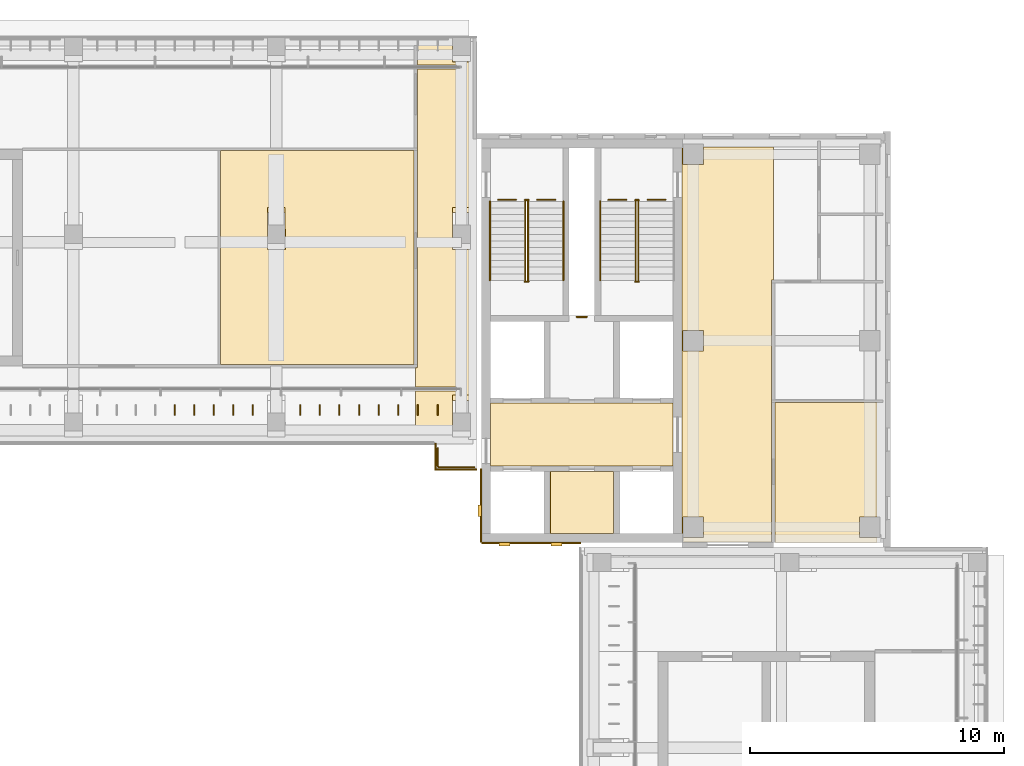
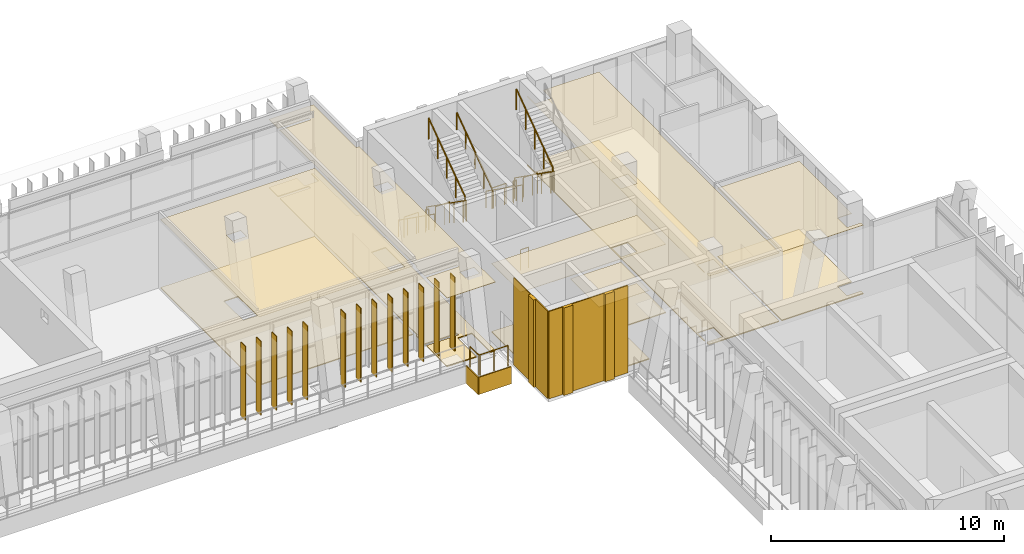
# One storey, part 73 of 74: 19 coverings, 17 railings, 13 shading devices.
"""IFC4 building model written with IfcOpenShell, lengths in metres."""

from ifc_helpers import new_model, si_unit, direction, frame, frame_2d, origin, origin_2d, place, context, subcontext, project, spatial, polyline, rectangle, circle, outline, extrude, material, layer, layer_set, type_object, element, save


model = new_model("IFC4")

# Units and contexts
model_context = context("Model", 3, precision=1e-05, world=origin(), true_north=direction((0.0, 1.0)))
body_context = subcontext(model_context, "Body", "Model", "MODEL_VIEW")
ifc_project = project(units=[si_unit("LENGTHUNIT", "METRE"), si_unit("AREAUNIT", "SQUARE_METRE"), si_unit("VOLUMEUNIT", "CUBIC_METRE"), si_unit("PLANEANGLEUNIT", "RADIAN"), si_unit("MASSUNIT", "GRAM", prefix="KILO")], contexts=[model_context])

# Site, building, storey
site_placement = place(None, origin())
site = spatial("IfcSite", under=ifc_project, at=site_placement, CompositionType="ELEMENT")
building_placement = place(site_placement, origin())
building = spatial("IfcBuilding", under=site, at=building_placement, Name="Lantern Court Media Centre", CompositionType="ELEMENT")
storey_placement = place(building_placement, frame((0.0, 0.0, 19.199951171875)))
storey = spatial("IfcBuildingStorey", under=building, at=storey_placement, Name="L04", CompositionType="ELEMENT", Elevation=19.199951171875)

# Coverings
ifc_material_1 = material(Name="Carpet")
ifc_layer_1 = layer(ifc_material_1, 0.050048828125)
ifc_layer_set_1 = layer_set([ifc_layer_1], Name="Carpet")
covering_type_1 = type_object("IfcCoveringType", Name="Carpet floor finish", PredefinedType="FLOORING", material=ifc_layer_set_1)
covering_1_placement = place(storey_placement, origin())
element("IfcCovering", 1, at=covering_1_placement, inside=storey, type_object=covering_type_1, Name="Conference Room 01 floor finish", PredefinedType="FLOORING", context=body_context, shape_type="SweptSolid", body=[
    extrude(outline(polyline([(77.4326171875, 111.544921875), (77.4326171875, 103.117431640625), (69.804931640625, 103.117431640625), (69.804931640625, 111.544921875), (77.4326171875, 111.544921875)]), holes=[polyline([(71.64501953125, 107.64990234375), (72.354736328125, 107.648193359375), (72.351806640625, 109.308837890625), (71.645263671875, 109.30615234375), (71.64501953125, 107.64990234375)])]), origin(), (0.0, 0.0, 1.0), 0.050048828125),
])
covering_2_placement = place(storey_placement, origin())
element("IfcCovering", 2, at=covering_2_placement, inside=storey, type_object=covering_type_1, Name="Engineering Workshop floor finish", PredefinedType="FLOORING", context=body_context, shape_type="SweptSolid", body=[
    extrude(outline(polyline([(95.699951171875, 96.10009765625), (91.66748046875, 96.10009765625), (91.66748046875, 101.615966796875), (95.699951171875, 101.615966796875), (95.699951171875, 97.10498046875), (94.9951171875, 97.10009765625), (94.995849609375, 96.297119140625), (95.699951171875, 96.294921875), (95.699951171875, 96.10009765625)])), origin(), (0.0, 0.0, 1.0), 0.050048828125),
])
ifc_material_2 = material(Name="Ceramic tile")
ifc_layer_2 = layer(ifc_material_2, 0.050048828125)
ifc_layer_set_2 = layer_set([ifc_layer_2], Name="Ceramic tile")
covering_type_2 = type_object("IfcCoveringType", Name="Ceramic tile floor finish", PredefinedType="FLOORING", material=ifc_layer_set_2)
covering_3_placement = place(storey_placement, origin())
element("IfcCovering", 3, at=covering_3_placement, inside=storey, type_object=covering_type_2, Name="Accessible WC floor finish", PredefinedType="FLOORING", context=body_context, shape_type="SweptSolid", body=[
    extrude(outline(polyline([(82.804931640625, 96.455078125), (82.804931640625, 98.89501953125), (85.294921875, 98.89501953125), (85.294921875, 96.455078125), (82.804931640625, 96.455078125)])), origin(), (0.0, 0.0, 1.0), 0.050048828125),
])

# Railings
ifc_material_3 = material(Name="Powder-coated steel", Category="steel")
railing_type_1 = type_object("IfcRailingType", Name="Floor edge guard 1100", PredefinedType="GUARDRAIL", material=ifc_material_3)
railing_1_placement = place(storey_placement, frame((85.10009765625, 109.609619140625, 0.0)))
element("IfcRailing", 4, at=railing_1_placement, inside=storey, type_object=railing_type_1, Name="L04 opening guard 117", PredefinedType="GUARDRAIL", context=body_context, shape_type="SweptSolid", body=[
    extrude(circle(Radius=0.02392578125, at=origin_2d()), frame((0.0, 0.0, 1.076171875), z_axis=(1.0, 0.0, 0.0), x_axis=(0.0, 1.0, 0.0)), (0.0, 0.0, 1.0), 0.70361328125),
    extrude(circle(Radius=0.02099609375, at=origin_2d()), origin(), (0.0, 0.0, 1.0), 1.052001953125),
    extrude(circle(Radius=0.02099609375, at=origin_2d()), frame((0.70361328125, 0.0, 0.0)), (0.0, 0.0, 1.0), 1.052001953125),
])
railing_2_placement = place(storey_placement, frame((86.646240234375, 109.609619140625, 0.0)))
element("IfcRailing", 5, at=railing_2_placement, inside=storey, type_object=railing_type_1, Name="L04 opening guard 118", PredefinedType="GUARDRAIL", context=body_context, shape_type="SweptSolid", body=[
    extrude(circle(Radius=0.02392578125, at=origin_2d()), frame((0.0, 0.0, 1.076171875), z_axis=(1.0, 0.0, 0.0), x_axis=(0.0, 1.0, 0.0)), (0.0, 0.0, 1.0), 0.703857421875),
    extrude(circle(Radius=0.02099609375, at=origin_2d()), origin(), (0.0, 0.0, 1.0), 1.052001953125),
    extrude(circle(Radius=0.02099609375, at=origin_2d()), frame((0.703857421875, 0.0, 0.0)), (0.0, 0.0, 1.0), 1.052001953125),
])
for number, where, name in (
    (6, (80.75, 109.609619140625, 0.0), "L04 opening guard 119"),
    (7, (82.29638671875, 109.609619140625, 0.0), "L04 opening guard 120"),
):
    element("IfcRailing", number, at=place(storey_placement, frame(where)), inside=storey, type_object=railing_type_1, Name=name, PredefinedType="GUARDRAIL", context=body_context, shape_type="SweptSolid", body=[
        extrude(circle(Radius=0.02392578125, at=origin_2d()), frame((0.0, 0.0, 1.076171875), z_axis=(1.0, 0.0, 0.0), x_axis=(0.0, 1.0, 0.0)), (0.0, 0.0, 1.0), 0.70361328125),
        extrude(circle(Radius=0.02099609375, at=origin_2d()), origin(), (0.0, 0.0, 1.0), 1.052001953125),
        extrude(circle(Radius=0.02099609375, at=origin_2d()), frame((0.70361328125, 0.0, 0.0)), (0.0, 0.0, 1.0), 1.052001953125),
    ])
railing_3_placement = place(storey_placement, frame((83.85009765625, 104.989990234375, 0.0)))
element("IfcRailing", 8, at=railing_3_placement, inside=storey, type_object=railing_type_1, Name="L04 opening guard 121", PredefinedType="GUARDRAIL", context=body_context, shape_type="SweptSolid", body=[
    extrude(circle(Radius=0.02392578125, at=origin_2d()), frame((0.0, 0.0, 1.076171875), z_axis=(1.0, 0.0, 0.0), x_axis=(0.0, 1.0, 0.0)), (0.0, 0.0, 1.0), 0.39990234375),
    extrude(circle(Radius=0.02099609375, at=origin_2d()), origin(), (0.0, 0.0, 1.0), 1.052001953125),
    extrude(circle(Radius=0.02099609375, at=origin_2d()), frame((0.39990234375, 0.0, 0.0)), (0.0, 0.0, 1.0), 1.052001953125),
])
railing_4_placement = place(storey_placement, frame((79.803955078125, 99.06005859375, 0.0)))
element("IfcRailing", 9, at=railing_4_placement, inside=storey, type_object=railing_type_1, Name="L04 edge guard 141", PredefinedType="GUARDRAIL", context=body_context, shape_type="SweptSolid", body=[
    extrude(circle(Radius=0.02392578125, at=origin_2d()), frame((0.0, 0.0, 1.076171875), z_axis=(-1.0, 0.0, 0.0), x_axis=(0.0, -1.0, 0.0)), (0.0, 0.0, 1.0), 1.39892578125),
    extrude(circle(Radius=0.02392578125, at=origin_2d()), frame((-1.39892578125, 0.0, 1.076171875), z_axis=(-0.626354171064, 0.779538615074, 0.0), x_axis=(-0.779538615074, -0.626354171064, 0.0)), (0.0, 0.0, 1.0), 0.07177734375),
    extrude(circle(Radius=0.02392578125, at=origin_2d()), frame((-1.44384765625, 0.055908203125, 1.076171875), z_axis=(0.0, 1.0, 0.0), x_axis=(-1.0, 0.0, 0.0)), (0.0, 0.0, 1.0), 0.698974609375),
    extrude(circle(Radius=0.02099609375, at=origin_2d()), origin(), (0.0, 0.0, 1.0), 1.052001953125),
    extrude(circle(Radius=0.02099609375, at=origin_2d()), frame((-0.699462890625, 0.0, 0.0)), (0.0, 0.0, 1.0), 1.052001953125),
    extrude(circle(Radius=0.02099609375, at=origin_2d()), frame((-1.39892578125, 0.0, 0.0)), (0.0, 0.0, 1.0), 1.052001953125),
    extrude(circle(Radius=0.02099609375, at=origin_2d()), frame((-1.44384765625, 0.055908203125, 0.0)), (0.0, 0.0, 1.0), 1.052001953125),
    extrude(circle(Radius=0.02099609375, at=origin_2d()), frame((-1.44384765625, 0.7548828125, 0.0)), (0.0, 0.0, 1.0), 1.052001953125),
])

# Coverings
ifc_material_4 = material(Name="White glass-fibre reinforced cement cladding", Category="concrete")
ifc_layer_3 = layer(ifc_material_4, 0.050048828125)
ifc_layer_set_3 = layer_set([ifc_layer_3], Name="White glass-fibre reinforced cement cladding")
covering_type_3 = type_object("IfcCoveringType", Name="Floor-edge band 50", PredefinedType="CLADDING", material=ifc_layer_set_3)
covering_4_placement = place(storey_placement, frame((78.300048828125, 98.97509765625, -0.89990234375), z_axis=(0.0, 0.0, 1.0), x_axis=(1.0, 0.0, 0.0)))
element("IfcCovering", 10, at=covering_4_placement, inside=storey, type_object=covering_type_3, Name="Floor-edge band N inner L04", PredefinedType="CLADDING", context=body_context, shape_type="SweptSolid", body=[
    extrude(rectangle(XDim=1.599853515625, YDim=0.050048828125, at=frame_2d((0.7998046875, 0.0))), origin(), (0.0, 0.0, 1.0), 0.89990234375),
])
covering_5_placement = place(storey_placement, frame((78.27490234375, 100.0, -0.89990234375), z_axis=(0.0, 0.0, 1.0), x_axis=(0.0, -1.0, 0.0)))
element("IfcCovering", 11, at=covering_5_placement, inside=storey, type_object=covering_type_3, Name="Floor-edge band N inner L04", PredefinedType="CLADDING", context=body_context, shape_type="SweptSolid", body=[
    extrude(rectangle(XDim=1.050048828125, YDim=0.050048828125, at=frame_2d((0.52490234375, 0.0))), origin(), (0.0, 0.0, 1.0), 0.89990234375),
])
ifc_material_5 = material(Name="Honed limestone cladding", Category="masonry")
ifc_layer_4 = layer(ifc_material_5, 0.050048828125)
ifc_layer_set_4 = layer_set([ifc_layer_4], Name="Honed limestone cladding")
covering_type_4 = type_object("IfcCoveringType", Name="Limestone cladding panel 50", PredefinedType="CLADDING", material=ifc_layer_set_4)
covering_6_placement = place(storey_placement, frame((80.074951171875, 96.10009765625, 0.0), z_axis=(0.0, 0.0, 1.0), x_axis=(0.0, 1.0, 0.0)))
element("IfcCovering", 12, at=covering_6_placement, inside=storey, type_object=covering_type_4, Name="Limestone joint cladding N-NE L04", PredefinedType="CLADDING", context=body_context, shape_type="SweptSolid", body=[
    extrude(rectangle(XDim=2.89990234375, YDim=0.050048828125, at=frame_2d((1.449951171875, 0.0))), origin(), (0.0, 0.0, 1.0), 4.580078125),
])
covering_7_placement = place(storey_placement, frame((80.10009765625, 96.074951171875, 0.0), z_axis=(0.0, 0.0, 1.0), x_axis=(1.0, 0.0, 0.0)))
element("IfcCovering", 13, at=covering_7_placement, inside=storey, type_object=covering_type_4, Name="Limestone joint cladding E-NE L04", PredefinedType="CLADDING", context=body_context, shape_type="SweptSolid", body=[
    extrude(rectangle(XDim=3.89990234375, YDim=0.050048828125, at=frame_2d((1.949951171875, 0.0))), origin(), (0.0, 0.0, 1.0), 4.580078125),
])
ifc_layer_5 = layer(ifc_material_5, 0.14990234375)
ifc_layer_set_5 = layer_set([ifc_layer_5], Name="Honed limestone cladding")
covering_type_5 = type_object("IfcCoveringType", Name="Limestone pilaster cladding 150", PredefinedType="CLADDING", material=ifc_layer_set_5)
covering_8_placement = place(storey_placement, frame((80.77490234375, 96.02490234375, 0.0), z_axis=(0.0, 0.0, 1.0), x_axis=(1.0, 0.0, 0.0)))
element("IfcCovering", 14, at=covering_8_placement, inside=storey, type_object=covering_type_5, Name="Limestone pilaster rib", PredefinedType="CLADDING", context=body_context, shape_type="SweptSolid", body=[
    extrude(rectangle(XDim=0.4501953125, YDim=0.14990234375, at=frame_2d((0.22509765625, 0.0))), origin(), (0.0, 0.0, 1.0), 4.580078125),
])
for number, where, z_axis, x_axis, name in (
    (15, (82.824951171875, 96.02490234375, 0.0), (0.0, 0.0, 1.0), (1.0, 0.0, 0.0), "Limestone pilaster rib"),
    (16, (80.02490234375, 97.125, 0.0), (0.0, 0.0, 1.0), (0.0, 1.0, 0.0), "Limestone pilaster rib"),
):
    element("IfcCovering", number, at=place(storey_placement, frame(where, z_axis=z_axis, x_axis=x_axis)), inside=storey, type_object=covering_type_5, Name=name, PredefinedType="CLADDING", context=body_context, shape_type="SweptSolid", body=[
        extrude(rectangle(XDim=0.449951171875, YDim=0.14990234375, at=frame_2d((0.22509765625, 0.0))), origin(), (0.0, 0.0, 1.0), 4.580078125),
    ])

# Railings
railing_type_2 = type_object("IfcRailingType", Name="Stair guard 1100", PredefinedType="GUARDRAIL", material=ifc_material_3)
railing_5_placement = place(storey_placement, frame((86.174072265625, 109.550048828125, 0.1845703125)))
element("IfcRailing", 17, at=railing_5_placement, inside=storey, type_object=railing_type_2, Name="L04 ST-NEA stair guard 1", PredefinedType="GUARDRAIL", context=body_context, shape_type="SweptSolid", body=[
    extrude(circle(Radius=0.02392578125, at=origin_2d()), frame((0.0, 0.0, 1.076171875), z_axis=(0.0, -0.815346844174, 0.578972817752), x_axis=(1.0, 0.0, 0.0)), (0.0, 0.0, 1.0), 3.82666015625),
    extrude(circle(Radius=0.02099609375, at=origin_2d()), origin(), (0.0, 0.0, 1.0), 1.052001953125),
    extrude(circle(Radius=0.02099609375, at=origin_2d()), frame((0.0, -0.780029296875, 0.553955078125)), (0.0, 0.0, 1.0), 1.052001953125),
    extrude(circle(Radius=0.02099609375, at=origin_2d()), frame((0.0, -1.56005859375, 1.10791015625)), (0.0, 0.0, 1.0), 1.052001953125),
    extrude(circle(Radius=0.02099609375, at=origin_2d()), frame((0.0, -2.340087890625, 1.66162109375)), (0.0, 0.0, 1.0), 1.052001953125),
    extrude(circle(Radius=0.02099609375, at=origin_2d()), frame((0.0, -3.1201171875, 2.215576171875)), (0.0, 0.0, 1.0), 1.052001953125),
])
railing_6_placement = place(storey_placement, frame((86.14990234375, 106.3798828125, 2.400146484375)))
element("IfcRailing", 18, at=railing_6_placement, inside=storey, type_object=railing_type_2, Name="L04 ST-NEA stair guard 2", PredefinedType="GUARDRAIL", context=body_context, shape_type="SweptSolid", body=[
    extrude(circle(Radius=0.02392578125, at=origin_2d()), frame((0.0, 0.0, 1.076171875), z_axis=(1.0, 0.0, 0.0), x_axis=(0.0, 1.0, 0.0)), (0.0, 0.0, 1.0), 0.150146484375),
    extrude(circle(Radius=0.02099609375, at=origin_2d()), origin(), (0.0, 0.0, 1.0), 1.052001953125),
    extrude(circle(Radius=0.02099609375, at=origin_2d()), frame((0.150146484375, 0.0, 0.0)), (0.0, 0.0, 1.0), 1.052001953125),
])
railing_7_placement = place(storey_placement, frame((86.27587890625, 106.429931640625, 2.584716796875)))
element("IfcRailing", 19, at=railing_7_placement, inside=storey, type_object=railing_type_2, Name="L04 ST-NEA stair guard 3", PredefinedType="GUARDRAIL", context=body_context, shape_type="SweptSolid", body=[
    extrude(circle(Radius=0.02392578125, at=origin_2d()), frame((0.0, 0.0, 1.076171875), z_axis=(0.0, 0.815376961211, 0.578930402662), x_axis=(-1.0, 0.0, 0.0)), (0.0, 0.0, 1.0), 3.82666015625),
    extrude(circle(Radius=0.02099609375, at=origin_2d()), origin(), (0.0, 0.0, 1.0), 1.052001953125),
    extrude(circle(Radius=0.02099609375, at=origin_2d()), frame((0.0, 0.780029296875, 0.5537109375)), (0.0, 0.0, 1.0), 1.052001953125),
    extrude(circle(Radius=0.02099609375, at=origin_2d()), frame((0.0, 1.56005859375, 1.107666015625)), (0.0, 0.0, 1.0), 1.052001953125),
    extrude(circle(Radius=0.02099609375, at=origin_2d()), frame((0.0, 2.340087890625, 1.66162109375)), (0.0, 0.0, 1.0), 1.052001953125),
    extrude(circle(Radius=0.02099609375, at=origin_2d()), frame((0.0, 3.1201171875, 2.21533203125)), (0.0, 0.0, 1.0), 1.052001953125),
])
railing_8_placement = place(storey_placement, frame((86.14990234375, 109.60009765625, 0.0)))
element("IfcRailing", 20, at=railing_8_placement, inside=storey, type_object=railing_type_2, Name="L04 ST-NEA stair guard 4", PredefinedType="GUARDRAIL", context=body_context, shape_type="SweptSolid", body=[
    extrude(circle(Radius=0.02392578125, at=origin_2d()), frame((0.0, 0.0, 1.076171875), z_axis=(1.0, 0.0, 0.0), x_axis=(0.0, 1.0, 0.0)), (0.0, 0.0, 1.0), 0.150146484375),
    extrude(circle(Radius=0.02099609375, at=origin_2d()), origin(), (0.0, 0.0, 1.0), 1.052001953125),
    extrude(circle(Radius=0.02099609375, at=origin_2d()), frame((0.150146484375, 0.0, 0.0)), (0.0, 0.0, 1.0), 1.052001953125),
])
railing_9_placement = place(storey_placement, frame((81.823974609375, 109.550048828125, 0.1845703125)))
element("IfcRailing", 21, at=railing_9_placement, inside=storey, type_object=railing_type_2, Name="L04 ST-NEB stair guard 1", PredefinedType="GUARDRAIL", context=body_context, shape_type="SweptSolid", body=[
    extrude(circle(Radius=0.02392578125, at=origin_2d()), frame((0.0, 0.0, 1.076171875), z_axis=(0.0, -0.815346844174, 0.578972817752), x_axis=(1.0, 0.0, 0.0)), (0.0, 0.0, 1.0), 3.82666015625),
    extrude(circle(Radius=0.02099609375, at=origin_2d()), origin(), (0.0, 0.0, 1.0), 1.052001953125),
    extrude(circle(Radius=0.02099609375, at=origin_2d()), frame((0.0, -0.780029296875, 0.553955078125)), (0.0, 0.0, 1.0), 1.052001953125),
    extrude(circle(Radius=0.02099609375, at=origin_2d()), frame((0.0, -1.56005859375, 1.10791015625)), (0.0, 0.0, 1.0), 1.052001953125),
    extrude(circle(Radius=0.02099609375, at=origin_2d()), frame((0.0, -2.340087890625, 1.66162109375)), (0.0, 0.0, 1.0), 1.052001953125),
    extrude(circle(Radius=0.02099609375, at=origin_2d()), frame((0.0, -3.1201171875, 2.215576171875)), (0.0, 0.0, 1.0), 1.052001953125),
])
railing_10_placement = place(storey_placement, frame((81.800048828125, 106.3798828125, 2.400146484375)))
element("IfcRailing", 22, at=railing_10_placement, inside=storey, type_object=railing_type_2, Name="L04 ST-NEB stair guard 2", PredefinedType="GUARDRAIL", context=body_context, shape_type="SweptSolid", body=[
    extrude(circle(Radius=0.02392578125, at=origin_2d()), frame((0.0, 0.0, 1.076171875), z_axis=(1.0, 0.0, 0.0), x_axis=(0.0, 1.0, 0.0)), (0.0, 0.0, 1.0), 0.14990234375),
    extrude(circle(Radius=0.02099609375, at=origin_2d()), origin(), (0.0, 0.0, 1.0), 1.052001953125),
    extrude(circle(Radius=0.02099609375, at=origin_2d()), frame((0.14990234375, 0.0, 0.0)), (0.0, 0.0, 1.0), 1.052001953125),
])
railing_11_placement = place(storey_placement, frame((81.926025390625, 106.429931640625, 2.584716796875)))
element("IfcRailing", 23, at=railing_11_placement, inside=storey, type_object=railing_type_2, Name="L04 ST-NEB stair guard 3", PredefinedType="GUARDRAIL", context=body_context, shape_type="SweptSolid", body=[
    extrude(circle(Radius=0.02392578125, at=origin_2d()), frame((0.0, 0.0, 1.076171875), z_axis=(0.0, 0.815376961211, 0.578930402662), x_axis=(-1.0, 0.0, 0.0)), (0.0, 0.0, 1.0), 3.82666015625),
    extrude(circle(Radius=0.02099609375, at=origin_2d()), origin(), (0.0, 0.0, 1.0), 1.052001953125),
    extrude(circle(Radius=0.02099609375, at=origin_2d()), frame((0.0, 0.780029296875, 0.5537109375)), (0.0, 0.0, 1.0), 1.052001953125),
    extrude(circle(Radius=0.02099609375, at=origin_2d()), frame((0.0, 1.56005859375, 1.107666015625)), (0.0, 0.0, 1.0), 1.052001953125),
    extrude(circle(Radius=0.02099609375, at=origin_2d()), frame((0.0, 2.340087890625, 1.66162109375)), (0.0, 0.0, 1.0), 1.052001953125),
    extrude(circle(Radius=0.02099609375, at=origin_2d()), frame((0.0, 3.1201171875, 2.21533203125)), (0.0, 0.0, 1.0), 1.052001953125),
])
railing_12_placement = place(storey_placement, frame((81.800048828125, 109.60009765625, 0.0)))
element("IfcRailing", 24, at=railing_12_placement, inside=storey, type_object=railing_type_2, Name="L04 ST-NEB stair guard 4", PredefinedType="GUARDRAIL", context=body_context, shape_type="SweptSolid", body=[
    extrude(circle(Radius=0.02392578125, at=origin_2d()), frame((0.0, 0.0, 1.076171875), z_axis=(1.0, 0.0, 0.0), x_axis=(0.0, 1.0, 0.0)), (0.0, 0.0, 1.0), 0.14990234375),
    extrude(circle(Radius=0.02099609375, at=origin_2d()), origin(), (0.0, 0.0, 1.0), 1.052001953125),
    extrude(circle(Radius=0.02099609375, at=origin_2d()), frame((0.14990234375, 0.0, 0.0)), (0.0, 0.0, 1.0), 1.052001953125),
])
railing_type_3 = type_object("IfcRailingType", Name="Stair handrail 900", PredefinedType="HANDRAIL", material=ifc_material_3)
for number, where, name in (
    (25, (84.77587890625, 109.550048828125, 0.1845703125), "L04 ST-NEA stair handrail 1"),
    (26, (80.426025390625, 109.550048828125, 0.1845703125), "L04 ST-NEB stair handrail 1"),
):
    element("IfcRailing", number, at=place(storey_placement, frame(where)), inside=storey, type_object=railing_type_3, Name=name, PredefinedType="HANDRAIL", context=body_context, shape_type="SweptSolid", body=[
        extrude(circle(Radius=0.02392578125, at=origin_2d()), frame((0.0, 0.0, 0.8759765625), z_axis=(0.0, -0.815346844174, 0.578972817752), x_axis=(1.0, 0.0, 0.0)), (0.0, 0.0, 1.0), 3.82666015625),
        extrude(circle(Radius=0.02099609375, at=origin_2d()), origin(), (0.0, 0.0, 1.0), 0.851806640625),
        extrude(circle(Radius=0.02099609375, at=origin_2d()), frame((0.0, -0.780029296875, 0.553955078125)), (0.0, 0.0, 1.0), 0.851806640625),
        extrude(circle(Radius=0.02099609375, at=origin_2d()), frame((0.0, -1.56005859375, 1.10791015625)), (0.0, 0.0, 1.0), 0.851806640625),
        extrude(circle(Radius=0.02099609375, at=origin_2d()), frame((0.0, -2.340087890625, 1.66162109375)), (0.0, 0.0, 1.0), 0.851806640625),
        extrude(circle(Radius=0.02099609375, at=origin_2d()), frame((0.0, -3.1201171875, 2.215576171875)), (0.0, 0.0, 1.0), 0.851806640625),
    ])
railing_13_placement = place(storey_placement, frame((83.323974609375, 106.429931640625, 2.584716796875)))
element("IfcRailing", 27, at=railing_13_placement, inside=storey, type_object=railing_type_3, Name="L04 ST-NEB stair handrail 2", PredefinedType="HANDRAIL", context=body_context, shape_type="SweptSolid", body=[
    extrude(circle(Radius=0.02392578125, at=origin_2d()), frame((0.0, 0.0, 0.8759765625), z_axis=(0.0, 0.815376961211, 0.578930402662), x_axis=(-1.0, 0.0, 0.0)), (0.0, 0.0, 1.0), 3.82666015625),
    extrude(circle(Radius=0.02099609375, at=origin_2d()), origin(), (0.0, 0.0, 1.0), 0.851806640625),
    extrude(circle(Radius=0.02099609375, at=origin_2d()), frame((0.0, 0.780029296875, 0.5537109375)), (0.0, 0.0, 1.0), 0.851806640625),
    extrude(circle(Radius=0.02099609375, at=origin_2d()), frame((0.0, 1.56005859375, 1.107666015625)), (0.0, 0.0, 1.0), 0.851806640625),
    extrude(circle(Radius=0.02099609375, at=origin_2d()), frame((0.0, 2.340087890625, 1.66162109375)), (0.0, 0.0, 1.0), 0.851806640625),
    extrude(circle(Radius=0.02099609375, at=origin_2d()), frame((0.0, 3.1201171875, 2.21533203125)), (0.0, 0.0, 1.0), 0.851806640625),
])

# Coverings
ifc_material_6 = material(Name="Mineral fibre ceiling tile")
ifc_layer_6 = layer(ifc_material_6, 0.02001953125)
ifc_layer_set_6 = layer_set([ifc_layer_6], Name="Mineral fibre ceiling tile")
covering_type_6 = type_object("IfcCoveringType", Name="Suspended ceiling tile", PredefinedType="CEILING", material=ifc_layer_set_6)
covering_9_placement = place(storey_placement, frame((0.0, 0.0, 3.60009765625)))
element("IfcCovering", 28, at=covering_9_placement, inside=storey, type_object=covering_type_6, Name="End Lobby ceiling", PredefinedType="CEILING", context=body_context, shape_type="SweptSolid", body=[
    extrude(outline(polyline([(79.89990234375, 100.300048828125), (77.5, 100.300048828125), (77.5, 102.074462890625), (79.1005859375, 102.074951171875), (79.10009765625, 102.2255859375), (77.5, 102.2255859375), (77.5, 102.987060546875), (77.56298828125, 102.987548828125), (77.56298828125, 114.77001953125), (77.5, 114.7744140625), (79.1005859375, 114.77490234375), (79.10009765625, 114.925537109375), (77.5, 114.925537109375), (77.56298828125, 114.929931640625), (77.56298828125, 115.699951171875), (79.759521484375, 115.699951171875), (79.759521484375, 112.0), (79.89990234375, 111.99951171875), (79.89990234375, 100.300048828125)]), holes=[polyline([(79.64990234375, 108.603759765625), (79.650390625, 109.1025390625), (78.949462890625, 109.102294921875), (78.94970703125, 108.603759765625), (79.64990234375, 108.603759765625)]), polyline([(79.650390625, 101.7021484375), (78.94970703125, 101.70263671875), (78.949462890625, 101.203857421875), (79.650390625, 101.203857421875), (79.650390625, 101.7021484375)])]), origin(), (0.0, 0.0, 1.0), 0.02001953125),
])
covering_10_placement = place(storey_placement, frame((0.0, 0.0, 3.60009765625)))
element("IfcCovering", 29, at=covering_10_placement, inside=storey, type_object=covering_type_6, Name="Conference Room 01 ceiling", PredefinedType="CEILING", context=body_context, shape_type="SweptSolid", body=[
    extrude(outline(polyline([(77.43701171875, 111.549560546875), (77.43701171875, 103.113037109375), (69.800537109375, 103.113037109375), (69.800537109375, 111.549560546875), (77.43701171875, 111.549560546875)]), holes=[polyline([(72.35009765625, 108.603759765625), (72.350341796875, 109.1025390625), (71.649658203125, 109.102294921875), (71.649658203125, 108.603759765625), (72.35009765625, 108.603759765625)])]), origin(), (0.0, 0.0, 1.0), 0.02001953125),
])
covering_11_placement = place(storey_placement, frame((0.0, 0.0, 3.60009765625)))
element("IfcCovering", 30, at=covering_11_placement, inside=storey, type_object=covering_type_6, Name="Lift Lobby ceiling", PredefinedType="CEILING", context=body_context, shape_type="SweptSolid", body=[
    extrude(outline(polyline([(80.450439453125, 101.599609375), (87.6494140625, 101.599609375), (87.6494140625, 99.1005859375), (80.450439453125, 99.1005859375), (80.450439453125, 101.599609375)])), origin(), (0.0, 0.0, 1.0), 0.02001953125),
])
covering_12_placement = place(storey_placement, frame((0.0, 0.0, 3.60009765625)))
element("IfcCovering", 31, at=covering_12_placement, inside=storey, type_object=covering_type_6, Name="Accessible WC ceiling", PredefinedType="CEILING", context=body_context, shape_type="SweptSolid", body=[
    extrude(outline(polyline([(82.800537109375, 96.450439453125), (82.800537109375, 98.8994140625), (85.299560546875, 98.8994140625), (85.299560546875, 96.450439453125), (82.800537109375, 96.450439453125)])), origin(), (0.0, 0.0, 1.0), 0.02001953125),
])
covering_13_placement = place(storey_placement, frame((0.0, 0.0, 3.60009765625)))
element("IfcCovering", 32, at=covering_13_placement, inside=storey, type_object=covering_type_6, Name="Corridor ceiling", PredefinedType="CEILING", context=body_context, shape_type="SweptSolid", body=[
    extrude(outline(polyline([(91.60009765625, 111.699951171875), (91.60009765625, 106.448974609375), (91.537109375, 106.448486328125), (91.537109375, 96.1005859375), (88.050537109375, 96.1005859375), (88.050537109375, 96.299560546875), (88.850341796875, 96.299560546875), (88.8505859375, 97.10009765625), (88.049560546875, 97.100341796875), (88.049560546875, 96.450439453125), (88.00048828125, 96.450439453125), (88.00048828125, 111.6494140625), (88.049560546875, 111.6494140625), (88.049560546875, 110.99951171875), (88.85009765625, 110.99951171875), (88.8505859375, 111.699951171875), (91.60009765625, 111.699951171875)]), holes=[polyline([(88.85009765625, 103.6494140625), (88.850341796875, 104.450439453125), (88.049560546875, 104.450439453125), (88.049560546875, 103.649658203125), (88.85009765625, 103.6494140625)])]), origin(), (0.0, 0.0, 1.0), 0.02001953125),
])
covering_14_placement = place(storey_placement, frame((0.0, 0.0, 3.60009765625)))
element("IfcCovering", 33, at=covering_14_placement, inside=storey, type_object=covering_type_6, Name="Engineering Workshop ceiling", PredefinedType="CEILING", context=body_context, shape_type="SweptSolid", body=[
    extrude(outline(polyline([(95.699951171875, 96.10009765625), (91.6630859375, 96.10009765625), (91.6630859375, 101.62060546875), (95.699951171875, 101.62060546875), (95.699951171875, 97.1005859375), (94.99951171875, 97.10009765625), (94.99951171875, 96.2998046875), (95.699951171875, 96.299560546875), (95.699951171875, 96.10009765625)])), origin(), (0.0, 0.0, 1.0), 0.02001953125),
])
ifc_material_7 = material(Name="Terrazzo")
ifc_layer_7 = layer(ifc_material_7, 0.050048828125)
ifc_layer_set_7 = layer_set([ifc_layer_7], Name="Terrazzo")
covering_type_7 = type_object("IfcCoveringType", Name="Terrazzo floor finish", PredefinedType="FLOORING", material=ifc_layer_set_7)
covering_15_placement = place(storey_placement, origin())
element("IfcCovering", 34, at=covering_15_placement, inside=storey, type_object=covering_type_7, Name="End Lobby floor finish", PredefinedType="FLOORING", context=body_context, shape_type="SweptSolid", body=[
    extrude(outline(polyline([(79.89990234375, 100.300048828125), (79.655029296875, 100.300048828125), (79.64990234375, 101.9091796875), (78.9453125, 101.906005859375), (78.945068359375, 100.300048828125), (77.5, 100.300048828125), (77.5, 102.070068359375), (79.10498046875, 102.074951171875), (79.1005859375, 102.22998046875), (77.5, 102.22998046875), (77.5, 102.982421875), (77.5673828125, 102.987548828125), (77.5673828125, 114.77001953125), (79.10498046875, 114.77490234375), (79.1005859375, 114.929931640625), (77.5673828125, 114.929931640625), (77.5673828125, 115.699951171875), (78.945068359375, 115.699951171875), (78.949951171875, 115.044921875), (79.653076171875, 115.046142578125), (79.655029296875, 115.699951171875), (79.7548828125, 115.699951171875), (79.7548828125, 112.0), (79.89990234375, 111.9951171875), (79.89990234375, 100.300048828125)]), holes=[polyline([(78.945068359375, 107.64990234375), (79.654541015625, 107.648193359375), (79.65185546875, 109.308837890625), (78.9453125, 109.30615234375), (78.945068359375, 107.64990234375)])]), origin(), (0.0, 0.0, 1.0), 0.050048828125),
])
covering_16_placement = place(storey_placement, origin())
element("IfcCovering", 35, at=covering_16_placement, inside=storey, type_object=covering_type_7, Name="Lift Lobby floor finish", PredefinedType="FLOORING", context=body_context, shape_type="SweptSolid", body=[
    extrude(outline(polyline([(80.455078125, 101.594970703125), (87.64501953125, 101.594970703125), (87.64501953125, 99.10498046875), (80.455078125, 99.10498046875), (80.455078125, 101.594970703125)])), origin(), (0.0, 0.0, 1.0), 0.050048828125),
])
covering_17_placement = place(storey_placement, origin())
element("IfcCovering", 36, at=covering_17_placement, inside=storey, type_object=covering_type_7, Name="Corridor floor finish", PredefinedType="FLOORING", context=body_context, shape_type="SweptSolid", body=[
    extrude(outline(polyline([(91.60009765625, 111.699951171875), (91.60009765625, 106.45361328125), (91.532470703125, 106.448486328125), (91.532470703125, 96.10498046875), (88.054931640625, 96.10498046875), (88.054931640625, 96.294921875), (88.853759765625, 96.296875), (88.85498046875, 97.10009765625), (88.046875, 97.103759765625), (88.044921875, 96.455078125), (88.0048828125, 96.455078125), (88.0048828125, 111.64501953125), (88.044921875, 111.64501953125), (88.046875, 110.99609375), (88.85009765625, 110.9951171875), (88.85498046875, 111.699951171875), (91.60009765625, 111.699951171875)]), holes=[polyline([(88.044921875, 103.64990234375), (88.853515625, 103.646484375), (88.853515625, 104.45361328125), (88.04638671875, 104.45361328125), (88.044921875, 103.64990234375)])]), origin(), (0.0, 0.0, 1.0), 0.050048828125),
])

# Shading devices
ifc_material_8 = material(Name="Bronze anodised aluminium louvre", Category="aluminium")
ifc_layer_8 = layer(ifc_material_8, 0.0400390625)
ifc_layer_set_8 = layer_set([ifc_layer_8], Name="Bronze anodised aluminium louvre")
shading_device_type = type_object("IfcShadingDeviceType", Name="Vertical louvre 40x400 under beam", PredefinedType="USERDEFINED", material=ifc_layer_set_8)
for number, where, z_axis, x_axis, name in (
    (37, (68.0, 101.320068359375, 0.0), (0.0, 0.0, 1.0), (1.0, 0.0, 0.0), "Vertical louvre N inner L04"),
    (38, (68.7666015625, 101.320068359375, 0.0), (0.0, 0.0, 1.0), (1.0, 0.0, 0.0), "Vertical louvre N inner L04"),
    (39, (69.533447265625, 101.320068359375, 0.0), (0.0, 0.0, 1.0), (1.0, 0.0, 0.0), "Vertical louvre N inner L04"),
    (40, (70.300048828125, 101.320068359375, 0.0), (0.0, 0.0, 1.0), (1.0, 0.0, 0.0), "Vertical louvre N inner L04"),
    (41, (71.066650390625, 101.320068359375, 0.0), (0.0, 0.0, 1.0), (1.0, 0.0, 0.0), "Vertical louvre N inner L04"),
    (42, (72.9375, 101.320068359375, 0.0), (0.0, 0.0, 1.0), (1.0, 0.0, 0.0), "Vertical louvre N inner L04"),
    (43, (73.71240234375, 101.320068359375, 0.0), (0.0, 0.0, 1.0), (1.0, 0.0, 0.0), "Vertical louvre N inner L04"),
    (44, (74.487548828125, 101.320068359375, 0.0), (0.0, 0.0, 1.0), (1.0, 0.0, 0.0), "Vertical louvre N inner L04"),
    (45, (75.262451171875, 101.320068359375, 0.0), (0.0, 0.0, 1.0), (1.0, 0.0, 0.0), "Vertical louvre N inner L04"),
    (46, (76.03759765625, 101.320068359375, 0.0), (0.0, 0.0, 1.0), (1.0, 0.0, 0.0), "Vertical louvre N inner L04"),
    (47, (76.8125, 101.320068359375, 0.0), (0.0, 0.0, 1.0), (1.0, 0.0, 0.0), "Vertical louvre N inner L04"),
    (48, (77.58740234375, 101.320068359375, 0.0), (0.0, 0.0, 1.0), (1.0, 0.0, 0.0), "Vertical louvre N inner L04"),
    (49, (78.362548828125, 101.320068359375, 0.0), (0.0, 0.0, 1.0), (1.0, 0.0, 0.0), "Vertical louvre N inner L04"),
):
    element("IfcShadingDevice", number, at=place(storey_placement, frame(where, z_axis=z_axis, x_axis=x_axis)), inside=storey, type_object=shading_device_type, Name=name, ObjectType="VERTICAL LOUVRE", PredefinedType="USERDEFINED", context=body_context, shape_type="SweptSolid", body=[
        extrude(rectangle(XDim=0.0400390625, YDim=0.39990234375, at=origin_2d()), origin(), (0.0, 0.0, 1.0), 3.89990234375),
    ])

save(model, "model.ifc")
